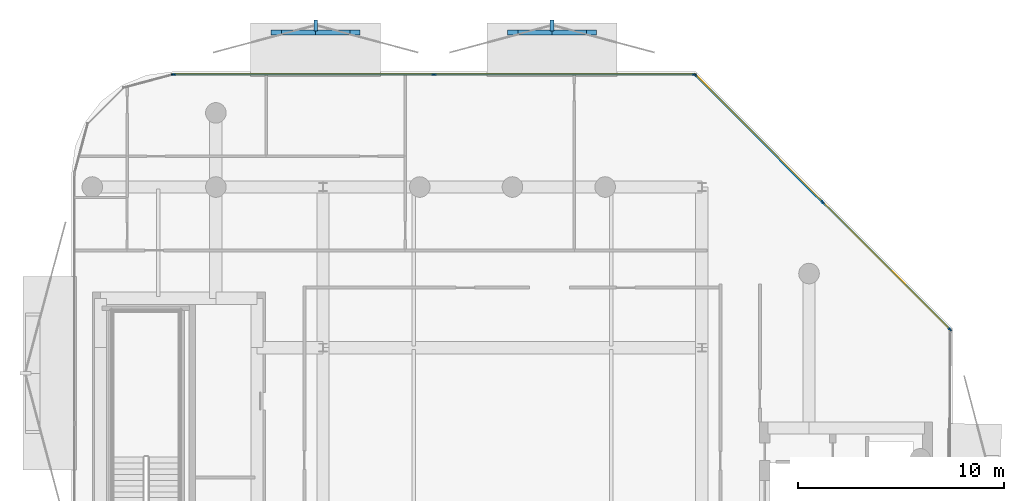
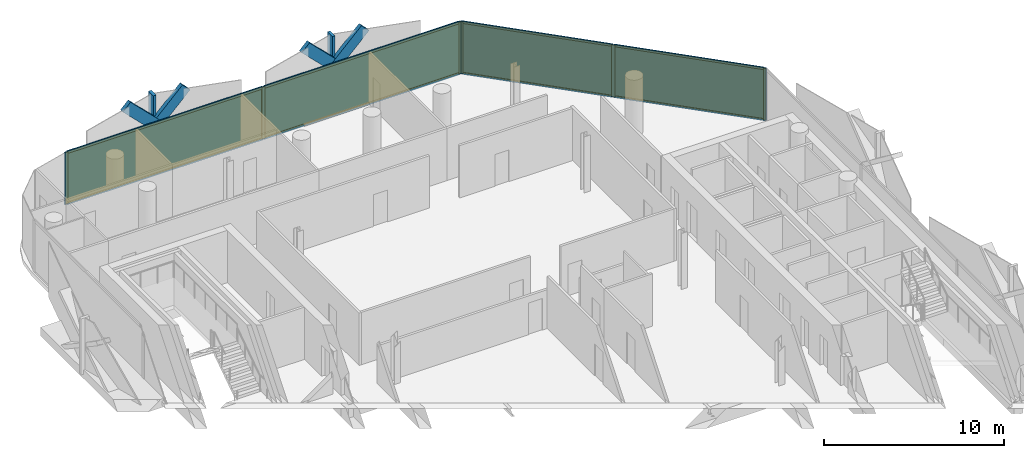
# One storey, part 12 of 16: 20 members, 4 plates, 2 curtain walls.
"""IFC4 building model written with IfcOpenShell, lengths in metres."""

from ifc_helpers import new_model, si_unit, direction, frame, frame_2d, origin, origin_2d, place, context, subcontext, project, spatial, rectangle, extrude, material, layer, layer_set, material_profile, profile_set, type_object, element, aggregate, save


model = new_model("IFC4")

# Units and contexts
model_context = context("Model", 3, precision=1e-05, world=origin(), true_north=direction((0.0, 1.0)))
body_context = subcontext(model_context, "Body", "Model", "MODEL_VIEW")
ifc_project = project(units=[si_unit("LENGTHUNIT", "METRE"), si_unit("AREAUNIT", "SQUARE_METRE"), si_unit("VOLUMEUNIT", "CUBIC_METRE"), si_unit("PLANEANGLEUNIT", "RADIAN"), si_unit("MASSUNIT", "GRAM", prefix="KILO")], contexts=[model_context])

# Member
ifc_material_1 = material(Name="Anodised Bronze Aluminium 6063-T6", Category="aluminium")
ifc_material_profile_1 = material_profile(ifc_material_1, rectangle(XDim=0.260009765625, YDim=0.699951171875, at=origin_2d()))
ifc_profile_set_1 = profile_set([ifc_material_profile_1], Name="Anodised Bronze Aluminium 6063-T6")
member_type_1 = type_object("IfcMemberType", Name="Bronze Diamond Solar-Screen Lattice Rib BDL-700", PredefinedType="MULLION", material=ifc_profile_set_1)
site_placement = place(None, origin())
building_placement = place(site_placement, origin())
storey_placement = place(building_placement, frame((0.0, 0.0, 292.800048828125)))
member_1_placement = place(storey_placement, frame((-11.46533203125, 26.10009765625, -0.130126953125), z_axis=(0.709457305194, 0.0, 0.704748417598), x_axis=(0.0, 1.0, 0.0)))
member_1 = element("IfcMember", 1, at=member_1_placement, type_object=member_type_1, Name="L70 Bronze Diamond Solar Screen Lattice Rib 490A", PredefinedType="MULLION", context=body_context, shape_type="SweptSolid", body=[
    extrude(rectangle(XDim=0.260009765625, YDim=0.699951171875, at=origin_2d()), origin(), (0.0, 0.0, 1.0), 5.39208984375),
])

member_2_placement = place(storey_placement, frame((-7.639892578125, 26.10009765625, -0.130126953125), z_axis=(-0.709457305194, 0.0, 0.704748417598), x_axis=(0.0, -1.0, 0.0)))
member_2 = element("IfcMember", 2, at=member_2_placement, type_object=member_type_1, Name="L70 Bronze Diamond Solar Screen Lattice Rib 490B", PredefinedType="MULLION", context=body_context, shape_type="SweptSolid", body=[
    extrude(rectangle(XDim=0.260009765625, YDim=0.699951171875, at=origin_2d()), origin(), (0.0, 0.0, 1.0), 5.39208984375),
])

member_3_placement = place(storey_placement, frame((0.010986328125, 26.10009765625, -0.130126953125), z_axis=(0.709457305194, 0.0, 0.704748417598), x_axis=(0.0, 1.0, 0.0)))
member_3 = element("IfcMember", 3, at=member_3_placement, type_object=member_type_1, Name="L70 Bronze Diamond Solar Screen Lattice Rib 491A", PredefinedType="MULLION", context=body_context, shape_type="SweptSolid", body=[
    extrude(rectangle(XDim=0.260009765625, YDim=0.699951171875, at=origin_2d()), origin(), (0.0, 0.0, 1.0), 5.39208984375),
])

member_4_placement = place(storey_placement, frame((3.83642578125, 26.10009765625, -0.130126953125), z_axis=(-0.709457305194, 0.0, 0.704748417598), x_axis=(0.0, -1.0, 0.0)))
member_4 = element("IfcMember", 4, at=member_4_placement, type_object=member_type_1, Name="L70 Bronze Diamond Solar Screen Lattice Rib 491B", PredefinedType="MULLION", context=body_context, shape_type="SweptSolid", body=[
    extrude(rectangle(XDim=0.260009765625, YDim=0.699951171875, at=origin_2d()), origin(), (0.0, 0.0, 1.0), 5.39208984375),
])

ifc_material_2 = material(Name="Anodised Bronze Aluminium 6063-T6", Category="aluminium")
ifc_material_profile_2 = material_profile(ifc_material_2, rectangle(XDim=0.179931640625, YDim=0.5400390625, at=origin_2d()))
ifc_profile_set_2 = profile_set([ifc_material_profile_2], Name="Anodised Bronze Aluminium 6063-T6")
member_type_2 = type_object("IfcMemberType", Name="Bronze Solar-Screen Vertical Fold Fin BSF-540", PredefinedType="MULLION", material=ifc_profile_set_2)
member_5_placement = place(storey_placement, frame((-9.552490234375, 26.43994140625, -0.130126953125), z_axis=(0.0, 0.0, 1.0), x_axis=(1.0, 0.0, 0.0)))
member_5 = element("IfcMember", 5, at=member_5_placement, type_object=member_type_2, Name="L70 Bronze Solar Screen Vertical Fin 490", PredefinedType="MULLION", context=body_context, shape_type="SweptSolid", body=[
    extrude(rectangle(XDim=0.179931640625, YDim=0.5400390625, at=origin_2d()), origin(), (0.0, 0.0, 1.0), 3.800048828125),
])

member_6_placement = place(storey_placement, frame((1.923828125, 26.43994140625, -0.130126953125), z_axis=(0.0, 0.0, 1.0), x_axis=(1.0, 0.0, 0.0)))
member_6 = element("IfcMember", 6, at=member_6_placement, type_object=member_type_2, Name="L70 Bronze Solar Screen Vertical Fin 491", PredefinedType="MULLION", context=body_context, shape_type="SweptSolid", body=[
    extrude(rectangle(XDim=0.179931640625, YDim=0.5400390625, at=origin_2d()), origin(), (0.0, 0.0, 1.0), 3.800048828125),
])

ifc_material_3 = material(Name="Anodised Bronze Aluminium 6063-T6", Category="aluminium")
ifc_material_profile_3 = material_profile(ifc_material_3, rectangle(XDim=0.074951171875, YDim=0.2099609375, at=origin_2d()))
ifc_profile_set_3 = profile_set([ifc_material_profile_3], Name="Anodised Bronze Aluminium 6063-T6")
member_type_3 = type_object("IfcMemberType", Name="CW-CRN Mullion 75x210", PredefinedType="MULLION", material=ifc_profile_set_3)
member_7_placement = place(storey_placement, frame((-16.453369140625, 24.06005859375, 0.0), z_axis=(0.0, 0.0, 1.0), x_axis=(0.0, 1.0, 0.0)))
member_7 = element("IfcMember", 7, at=member_7_placement, type_object=member_type_3, Name="CW-CRN mullion 1", PredefinedType="MULLION", context=body_context, shape_type="SweptSolid", body=[
    extrude(rectangle(XDim=0.074951171875, YDim=0.2099609375, at=origin_2d()), origin(), (0.0, 0.0, 1.0), 3.5400390625),
])

member_8_placement = place(storey_placement, frame((-3.814453125, 24.06005859375, 0.0), z_axis=(0.0, 0.0, 1.0), x_axis=(0.0, 1.0, 0.0)))
member_8 = element("IfcMember", 8, at=member_8_placement, type_object=member_type_3, Name="CW-CRN mullion 2", PredefinedType="MULLION", context=body_context, shape_type="SweptSolid", body=[
    extrude(rectangle(XDim=0.074951171875, YDim=0.2099609375, at=origin_2d()), origin(), (0.0, 0.0, 1.0), 3.5400390625),
])

member_9_placement = place(storey_placement, frame((8.824462890625, 24.06005859375, 0.0), z_axis=(0.0, 0.0, 1.0), x_axis=(0.0, 1.0, 0.0)))
member_9 = element("IfcMember", 9, at=member_9_placement, type_object=member_type_3, Name="CW-CRN mullion 3", PredefinedType="MULLION", context=body_context, shape_type="SweptSolid", body=[
    extrude(rectangle(XDim=0.074951171875, YDim=0.2099609375, at=origin_2d()), origin(), (0.0, 0.0, 1.0), 3.5400390625),
])

ifc_material_4 = material(Name="Anodised Bronze Aluminium 6063-T6", Category="aluminium")
ifc_material_profile_4 = material_profile(ifc_material_4, rectangle(XDim=0.074951171875, YDim=0.1650390625, at=origin_2d()))
ifc_profile_set_4 = profile_set([ifc_material_profile_4], Name="Anodised Bronze Aluminium 6063-T6")
member_type_4 = type_object("IfcMemberType", Name="CW-CRN Transom 75x165", PredefinedType="USERDEFINED", material=ifc_profile_set_4)
member_10_placement = place(storey_placement, frame((-16.415771484375, 24.06005859375, 0.037353515625), z_axis=(1.0, 0.0, 0.0), x_axis=(0.0, 1.0, 0.0)))
member_10 = element("IfcMember", 10, at=member_10_placement, type_object=member_type_4, Name="CW-CRN transom 1.1", ObjectType="TRANSOM", PredefinedType="USERDEFINED", context=body_context, shape_type="SweptSolid", body=[
    extrude(rectangle(XDim=0.074951171875, YDim=0.1650390625, at=origin_2d()), origin(), (0.0, 0.0, 1.0), 12.56396484375),
])

member_11_placement = place(storey_placement, frame((-16.415771484375, 24.06005859375, 3.50244140625), z_axis=(1.0, 0.0, 0.0), x_axis=(0.0, 1.0, 0.0)))
member_11 = element("IfcMember", 11, at=member_11_placement, type_object=member_type_4, Name="CW-CRN transom 1.2", ObjectType="TRANSOM", PredefinedType="USERDEFINED", context=body_context, shape_type="SweptSolid", body=[
    extrude(rectangle(XDim=0.074951171875, YDim=0.1650390625, at=origin_2d()), origin(), (0.0, 0.0, 1.0), 12.56396484375),
])

member_12_placement = place(storey_placement, frame((-3.77685546875, 24.06005859375, 0.037353515625), z_axis=(1.0, 0.0, 0.0), x_axis=(0.0, 1.0, 0.0)))
member_12 = element("IfcMember", 12, at=member_12_placement, type_object=member_type_4, Name="CW-CRN transom 2.1", ObjectType="TRANSOM", PredefinedType="USERDEFINED", context=body_context, shape_type="SweptSolid", body=[
    extrude(rectangle(XDim=0.074951171875, YDim=0.1650390625, at=origin_2d()), origin(), (0.0, 0.0, 1.0), 12.56396484375),
])

member_13_placement = place(storey_placement, frame((-3.77685546875, 24.06005859375, 3.50244140625), z_axis=(1.0, 0.0, 0.0), x_axis=(0.0, 1.0, 0.0)))
member_13 = element("IfcMember", 13, at=member_13_placement, type_object=member_type_4, Name="CW-CRN transom 2.2", ObjectType="TRANSOM", PredefinedType="USERDEFINED", context=body_context, shape_type="SweptSolid", body=[
    extrude(rectangle(XDim=0.074951171875, YDim=0.1650390625, at=origin_2d()), origin(), (0.0, 0.0, 1.0), 12.56396484375),
])

ifc_material_5 = material(Name="Anodised Bronze Aluminium 6063-T6", Category="aluminium")
ifc_material_profile_5 = material_profile(ifc_material_5, rectangle(XDim=0.070068359375, YDim=0.18994140625, at=origin_2d()))
ifc_profile_set_5 = profile_set([ifc_material_profile_5], Name="Anodised Bronze Aluminium 6063-T6")
member_type_5 = type_object("IfcMemberType", Name="CW-SLC Mullion 70x190", PredefinedType="MULLION", material=ifc_profile_set_5)
member_14_placement = place(storey_placement, frame((8.88671875, 24.03515625, 0.0), z_axis=(0.0, 0.0, 1.0), x_axis=(0.707106781187, 0.707106781187, 0.0)))
member_14 = element("IfcMember", 14, at=member_14_placement, type_object=member_type_5, Name="CW-SLC mullion 1", PredefinedType="MULLION", context=body_context, shape_type="SweptSolid", body=[
    extrude(rectangle(XDim=0.070068359375, YDim=0.18994140625, at=origin_2d()), origin(), (0.0, 0.0, 1.0), 3.5400390625),
])

member_15_placement = place(storey_placement, frame((15.06103515625, 17.861083984375, 0.0), z_axis=(0.0, 0.0, 1.0), x_axis=(0.707106781187, 0.707106781187, 0.0)))
member_15 = element("IfcMember", 15, at=member_15_placement, type_object=member_type_5, Name="CW-SLC mullion 2", PredefinedType="MULLION", context=body_context, shape_type="SweptSolid", body=[
    extrude(rectangle(XDim=0.070068359375, YDim=0.18994140625, at=origin_2d()), origin(), (0.0, 0.0, 1.0), 3.5400390625),
])

member_16_placement = place(storey_placement, frame((21.2353515625, 11.686767578125, 0.0), z_axis=(0.0, 0.0, 1.0), x_axis=(0.707106781187, 0.707106781187, 0.0)))
member_16 = element("IfcMember", 16, at=member_16_placement, type_object=member_type_5, Name="CW-SLC mullion 3", PredefinedType="MULLION", context=body_context, shape_type="SweptSolid", body=[
    extrude(rectangle(XDim=0.070068359375, YDim=0.18994140625, at=origin_2d()), origin(), (0.0, 0.0, 1.0), 3.5400390625),
])

ifc_material_6 = material(Name="Anodised Bronze Aluminium 6063-T6", Category="aluminium")
ifc_material_profile_6 = material_profile(ifc_material_6, rectangle(XDim=0.070068359375, YDim=0.14990234375, at=origin_2d()))
ifc_profile_set_6 = profile_set([ifc_material_profile_6], Name="Anodised Bronze Aluminium 6063-T6")
member_type_6 = type_object("IfcMemberType", Name="CW-SLC Transom 70x150", PredefinedType="USERDEFINED", material=ifc_profile_set_6)
member_17_placement = place(storey_placement, frame((8.911376953125, 24.010498046875, 0.034912109375), z_axis=(0.707106781187, -0.707106781187, 0.0), x_axis=(0.707106781187, 0.707106781187, 0.0)))
member_17 = element("IfcMember", 17, at=member_17_placement, type_object=member_type_6, Name="CW-SLC transom 1.1", ObjectType="TRANSOM", PredefinedType="USERDEFINED", context=body_context, shape_type="SweptSolid", body=[
    extrude(rectangle(XDim=0.070068359375, YDim=0.14990234375, at=origin_2d()), origin(), (0.0, 0.0, 1.0), 8.66162109375),
])

member_18_placement = place(storey_placement, frame((8.911376953125, 24.010498046875, 3.5048828125), z_axis=(0.707106781187, -0.707106781187, 0.0), x_axis=(0.707106781187, 0.707106781187, 0.0)))
member_18 = element("IfcMember", 18, at=member_18_placement, type_object=member_type_6, Name="CW-SLC transom 1.2", ObjectType="TRANSOM", PredefinedType="USERDEFINED", context=body_context, shape_type="SweptSolid", body=[
    extrude(rectangle(XDim=0.070068359375, YDim=0.14990234375, at=origin_2d()), origin(), (0.0, 0.0, 1.0), 8.66162109375),
])

member_19_placement = place(storey_placement, frame((15.085693359375, 17.836181640625, 0.034912109375), z_axis=(0.707106781187, -0.707106781187, 0.0), x_axis=(0.707106781187, 0.707106781187, 0.0)))
member_19 = element("IfcMember", 19, at=member_19_placement, type_object=member_type_6, Name="CW-SLC transom 2.1", ObjectType="TRANSOM", PredefinedType="USERDEFINED", context=body_context, shape_type="SweptSolid", body=[
    extrude(rectangle(XDim=0.070068359375, YDim=0.14990234375, at=origin_2d()), origin(), (0.0, 0.0, 1.0), 8.66162109375),
])

member_20_placement = place(storey_placement, frame((15.085693359375, 17.836181640625, 3.5048828125), z_axis=(0.707106781187, -0.707106781187, 0.0), x_axis=(0.707106781187, 0.707106781187, 0.0)))
member_20 = element("IfcMember", 20, at=member_20_placement, type_object=member_type_6, Name="CW-SLC transom 2.2", ObjectType="TRANSOM", PredefinedType="USERDEFINED", context=body_context, shape_type="SweptSolid", body=[
    extrude(rectangle(XDim=0.070068359375, YDim=0.14990234375, at=origin_2d()), origin(), (0.0, 0.0, 1.0), 8.66162109375),
])

# Plate
ifc_material_7 = material(Name="Low-E Solar Control Laminated Glass", Category="glass")
ifc_layer_1 = layer(ifc_material_7, 0.035888671875, Name="Low-E Solar Control Laminated Glass")
ifc_layer_set_1 = layer_set([ifc_layer_1], Name="Low-E Solar Control Laminated Glass")
plate_type_1 = type_object("IfcPlateType", Name="CW-CRN Low-E Double Glazed Panel 36mm", PredefinedType="CURTAIN_PANEL", material=ifc_layer_set_1)
plate_1_placement = place(storey_placement, frame((-10.1337890625, 24.06005859375, 0.0751953125), z_axis=(0.0, 0.0, 1.0), x_axis=(1.0, 0.0, 0.0)))
plate_1 = element("IfcPlate", 21, at=plate_1_placement, type_object=plate_type_1, Name="CW-CRN panel 1.1", PredefinedType="CURTAIN_PANEL", context=body_context, shape_type="SweptSolid", body=[
    extrude(rectangle(XDim=12.56396484375, YDim=0.035888671875, at=origin_2d()), origin(), (0.0, 0.0, 1.0), 3.389892578125),
])

plate_2_placement = place(storey_placement, frame((2.505126953125, 24.06005859375, 0.0751953125), z_axis=(0.0, 0.0, 1.0), x_axis=(1.0, 0.0, 0.0)))
plate_2 = element("IfcPlate", 22, at=plate_2_placement, type_object=plate_type_1, Name="CW-CRN panel 2.1", PredefinedType="CURTAIN_PANEL", context=body_context, shape_type="SweptSolid", body=[
    extrude(rectangle(XDim=12.56396484375, YDim=0.035888671875, at=origin_2d()), origin(), (0.0, 0.0, 1.0), 3.389892578125),
])

ifc_material_8 = material(Name="Low-E Solar Control Laminated Glass", Category="glass")
ifc_layer_2 = layer(ifc_material_8, 0.033935546875, Name="Low-E Solar Control Laminated Glass")
ifc_layer_set_2 = layer_set([ifc_layer_2], Name="Low-E Solar Control Laminated Glass")
plate_type_2 = type_object("IfcPlateType", Name="CW-SLC Low-E Double Glazed Panel 34mm", PredefinedType="CURTAIN_PANEL", material=ifc_layer_set_2)
plate_3_placement = place(storey_placement, frame((11.973876953125, 20.9482421875, 0.070068359375), z_axis=(0.0, 0.0, 1.0), x_axis=(0.707106781187, -0.707106781187, 0.0)))
plate_3 = element("IfcPlate", 23, at=plate_3_placement, type_object=plate_type_2, Name="CW-SLC panel 1.1", PredefinedType="CURTAIN_PANEL", context=body_context, shape_type="SweptSolid", body=[
    extrude(rectangle(XDim=8.66162109375, YDim=0.033935546875, at=origin_2d()), origin(), (0.0, 0.0, 1.0), 3.39990234375),
])

plate_4_placement = place(storey_placement, frame((18.148193359375, 14.77392578125, 0.070068359375), z_axis=(0.0, 0.0, 1.0), x_axis=(0.707106781187, -0.707106781187, 0.0)))
plate_4 = element("IfcPlate", 24, at=plate_4_placement, type_object=plate_type_2, Name="CW-SLC panel 2.1", PredefinedType="CURTAIN_PANEL", context=body_context, shape_type="SweptSolid", body=[
    extrude(rectangle(XDim=8.66162109375, YDim=0.033935546875, at=origin_2d()), origin(), (0.0, 0.0, 1.0), 3.39990234375),
])

# Site, building, storey
site = spatial("IfcSite", under=ifc_project, at=site_placement, CompositionType="ELEMENT")
building = spatial("IfcBuilding", under=site, at=building_placement, Name="Khairoan Windgate Tower", CompositionType="ELEMENT")
storey = spatial("IfcBuildingStorey", under=building, at=storey_placement, Name="L70", CompositionType="ELEMENT", Elevation=292.800048828125)

# Curtain wall
ifc_material_9 = material(Name="Anodised Bronze Aluminium 6063-T6", Category="aluminium")
ifc_layer_3 = layer(ifc_material_9, 0.2099609375, Name="Anodised Bronze Aluminium 6063-T6")
ifc_layer_set_3 = layer_set([ifc_layer_3], Name="Anodised Bronze Aluminium 6063-T6")
curtain_wall_type_1 = type_object("IfcCurtainWallType", Name="Crown Observation and Vitrine Curtain Wall CW-CRN", PredefinedType="NOTDEFINED", material=ifc_layer_set_3)
curtain_wall_1_placement = place(storey_placement, frame((-16.49072265625, 24.06005859375, 0.0), z_axis=(0.0, 0.0, 1.0), x_axis=(1.0, 0.0, 0.0)))
curtain_wall_1 = element("IfcCurtainWall", 25, at=curtain_wall_1_placement, inside=storey, type_object=curtain_wall_type_1, Name="L70 Unitised Curtain Wall 7", PredefinedType="NOTDEFINED", context=body_context, shape_type="SweptSolid", body=[
    extrude(rectangle(XDim=25.352783203125, YDim=0.010009765625, at=frame_2d((12.67626953125, 0.0))), origin(), (0.0, 0.0, 1.0), 3.5400390625),
])

aggregate(curtain_wall_1, [member_7, member_8, member_9, member_10, member_11, plate_1, member_12, member_13, plate_2, member_1, member_2, member_5, member_3, member_4, member_6])

ifc_material_10 = material(Name="Anodised Bronze Aluminium 6063-T6", Category="aluminium")
ifc_layer_4 = layer(ifc_material_10, 0.18994140625, Name="Anodised Bronze Aluminium 6063-T6")
ifc_layer_set_4 = layer_set([ifc_layer_4], Name="Anodised Bronze Aluminium 6063-T6")
curtain_wall_type_2 = type_object("IfcCurtainWallType", Name="Diagonal Corner-Slice Facet Curtain Wall CW-SLC", PredefinedType="NOTDEFINED", material=ifc_layer_set_4)
curtain_wall_2_placement = place(storey_placement, frame((8.862060546875, 24.06005859375, 0.0), z_axis=(0.0, 0.0, 1.0), x_axis=(0.707106781187, -0.707106781187, 0.0)))
curtain_wall_2 = element("IfcCurtainWall", 26, at=curtain_wall_2_placement, inside=storey, type_object=curtain_wall_type_2, Name="L70 Crystal Slice Curtain Wall 8", PredefinedType="NOTDEFINED", context=body_context, shape_type="SweptSolid", body=[
    extrude(rectangle(XDim=17.533447265625, YDim=0.010009765625, at=frame_2d((8.7666015625, 0.0))), origin(), (0.0, 0.0, 1.0), 3.5400390625),
])

aggregate(curtain_wall_2, [member_14, member_15, member_16, member_17, member_18, plate_3, member_19, member_20, plate_4])

save(model, "model.ifc")
